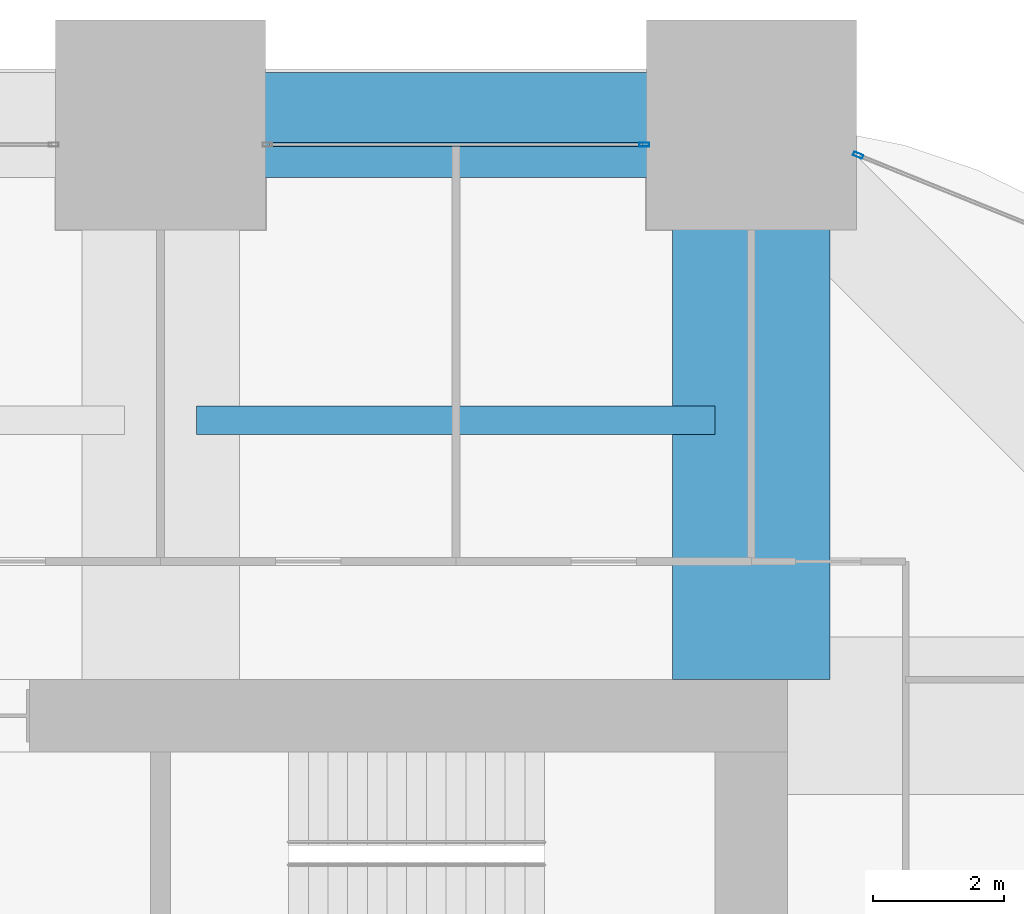
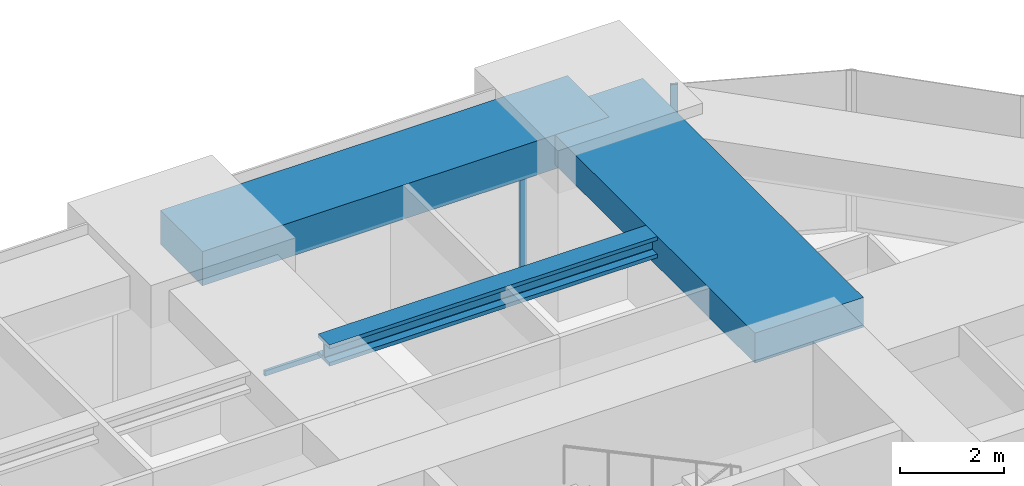
# One storey, part 27 of 36: 3 beams, 3 members, 2 elements without a shape of their own.
"""IFC4 building model written with IfcOpenShell, lengths in metres."""

from ifc_helpers import new_model, si_unit, direction, frame, origin, origin_2d, place, context, subcontext, project, spatial, rectangle, hollow_rectangle, i_section, extrude, material, material_profile, profile_set, type_object, element, aggregate, save


model = new_model("IFC4")

# Units and contexts
model_context = context("Model", 3, precision=1e-05, world=origin(), true_north=direction((0.0, 1.0)))
body_context = subcontext(model_context, "Body", "Model", "MODEL_VIEW")
ifc_project = project(units=[si_unit("LENGTHUNIT", "METRE"), si_unit("AREAUNIT", "SQUARE_METRE"), si_unit("VOLUMEUNIT", "CUBIC_METRE"), si_unit("PLANEANGLEUNIT", "RADIAN"), si_unit("MASSUNIT", "GRAM", prefix="KILO")], contexts=[model_context])

# Site, building, storey
site_placement = place(None, origin())
site = spatial("IfcSite", under=ifc_project, at=site_placement, CompositionType="ELEMENT")
building_placement = place(site_placement, origin())
building = spatial("IfcBuilding", under=site, at=building_placement, Name="Zorevar Civic Tower", CompositionType="ELEMENT")
storey_placement = place(building_placement, frame((0.0, 0.0, 166.199951171875)))
storey = spatial("IfcBuildingStorey", under=building, at=storey_placement, Name="L40", CompositionType="ELEMENT", Elevation=166.199951171875)

# Beam
ifc_material_1 = material(Name="Concrete C50/60", Category="concrete")
ifc_material_profile_1 = material_profile(ifc_material_1, rectangle(XDim=2.39990234375, YDim=0.699951171875, at=origin_2d()), Name="RC 2400x700")
ifc_profile_set_1 = profile_set([ifc_material_profile_1], Name="Concrete C50/60")
beam_type_1 = type_object("IfcBeamType", Name="Beam RC 2400x700", PredefinedType="BEAM", material=ifc_profile_set_1)
beam_1_placement = place(storey_placement, frame((45.0, 36.550048828125, 3.400146484375), z_axis=(0.0, 1.0, 0.0), x_axis=(-1.0, 0.0, 0.0)))
element("IfcBeam", 1, at=beam_1_placement, inside=storey, type_object=beam_type_1, Name="Girder L41", PredefinedType="BEAM", context=body_context, shape_type="SweptSolid", body=[
    extrude(rectangle(XDim=2.39990234375, YDim=0.699951171875, at=origin_2d()), origin(), (0.0, 0.0, 1.0), 8.449951171875),
])

# Curtain wall, member
ifc_material_2 = material(Name="Dark grey solar-control glass in black aluminium frame", Category="aluminium")
curtain_wall_type = type_object("IfcCurtainWallType", Name="Curtain wall CW4 high zone", PredefinedType="NOTDEFINED", material=ifc_material_2)
curtain_wall_1_placement = place(storey_placement, origin())
curtain_wall_1 = element("IfcCurtainWall", 2, at=curtain_wall_1_placement, inside=storey, type_object=curtain_wall_type, Name="CW4 L40", PredefinedType="NOTDEFINED")
ifc_material_3 = material(Name="Aluminium, black anodised", Category="aluminium")
ifc_material_profile_2 = material_profile(ifc_material_3, hollow_rectangle(XDim=0.06005859375, YDim=0.14990234375, WallThickness=0.00390625, at=origin_2d()), Name="AL 150x60x4")
ifc_profile_set_2 = profile_set([ifc_material_profile_2], Name="Aluminium, black anodised")
member_type_1 = type_object("IfcMemberType", Name="CW4 mullion AL 150x60x4", PredefinedType="MULLION", material=ifc_profile_set_2)
member_1_placement = place(storey_placement, frame((43.3701171875, 44.699951171875, 0.0), z_axis=(0.0, 0.0, 1.0), x_axis=(0.0, 1.0, 0.0)))
member_1 = element("IfcMember", 3, at=member_1_placement, type_object=member_type_1, Name="CW4 mullion 2", PredefinedType="MULLION", context=body_context, shape_type="SweptSolid", body=[
    extrude(hollow_rectangle(XDim=0.06005859375, YDim=0.14990234375, WallThickness=0.00390625, at=origin_2d()), origin(), (0.0, 0.0, 1.0), 2.949951171875),
])

curtain_wall_2_placement = place(storey_placement, origin())
curtain_wall_2 = element("IfcCurtainWall", 4, at=curtain_wall_2_placement, inside=storey, type_object=curtain_wall_type, Name="CW4 L40", PredefinedType="NOTDEFINED")
member_2_placement = place(storey_placement, frame((46.627685546875, 44.540283203125, 0.0), z_axis=(0.0, 0.0, 1.0), x_axis=(-0.375650166453, -0.926761540227, 0.0)))
member_2 = element("IfcMember", 5, at=member_2_placement, type_object=member_type_1, Name="CW4 mullion 2", PredefinedType="MULLION", context=body_context, shape_type="SweptSolid", body=[
    extrude(hollow_rectangle(XDim=0.06005859375, YDim=0.14990234375, WallThickness=0.00390625, at=origin_2d()), origin(), (0.0, 0.0, 1.0), 3.75),
])
aggregate(curtain_wall_2, [member_2])

# Member
ifc_material_4 = material(Name="Aluminium, black anodised", Category="aluminium")
ifc_material_profile_3 = material_profile(ifc_material_4, hollow_rectangle(XDim=0.06005859375, YDim=0.1201171875, WallThickness=0.0029296875, at=origin_2d()), Name="AL 120x60x3")
ifc_profile_set_3 = profile_set([ifc_material_profile_3], Name="Aluminium, black anodised")
member_type_2 = type_object("IfcMemberType", Name="CW4 transom AL 120x60x3", PredefinedType="USERDEFINED", material=ifc_profile_set_3)
member_3_placement = place(storey_placement, frame((37.659912109375, 44.699951171875, 0.030029296875), z_axis=(1.0, 0.0, 0.0), x_axis=(0.0, 1.0, 0.0)))
member_3 = element("IfcMember", 6, at=member_3_placement, type_object=member_type_2, Name="CW4 sill transom", ObjectType="TRANSOM", PredefinedType="USERDEFINED", context=body_context, shape_type="SweptSolid", body=[
    extrude(hollow_rectangle(XDim=0.06005859375, YDim=0.1201171875, WallThickness=0.0029296875, at=origin_2d()), origin(), (0.0, 0.0, 1.0), 5.68017578125),
])

aggregate(curtain_wall_1, [member_1, member_3])

# Beams
ifc_material_5 = material(Name="Steel S460M (HISTAR 460)", Category="steel")
ifc_material_profile_4 = material_profile(ifc_material_5, i_section(OverallWidth=0.431884765625, OverallDepth=0.498046875, WebThickness=0.0556640625, FlangeThickness=0.0888671875, FilletRadius=0.014892578125, at=origin_2d()), Name="HD 400x744")
ifc_profile_set_4 = profile_set([ifc_material_profile_4], Name="Steel S460M (HISTAR 460)")
beam_type_2 = type_object("IfcBeamType", Name="Core bay beam HD 400x744", PredefinedType="BEAM", material=ifc_profile_set_4)
beam_2_placement = place(storey_placement, frame((36.550048828125, 40.5, 3.5009765625), z_axis=(1.0, 0.0, 0.0), x_axis=(0.0, 1.0, 0.0)))
element("IfcBeam", 7, at=beam_2_placement, inside=storey, type_object=beam_type_2, Name="Secondary beam L41", PredefinedType="BEAM", context=body_context, shape_type="SweptSolid", body=[
    extrude(i_section(OverallWidth=0.431884765625, OverallDepth=0.498046875, WebThickness=0.0556640625, FlangeThickness=0.0888671875, FilletRadius=0.014892578125, at=origin_2d()), origin(), (0.0, 0.0, 1.0), 7.89990234375),
])
ifc_material_6 = material(Name="Concrete C50/60", Category="concrete")
ifc_material_profile_5 = material_profile(ifc_material_6, rectangle(XDim=1.60009765625, YDim=0.800048828125, at=origin_2d()), Name="RC 1600x800")
ifc_profile_set_5 = profile_set([ifc_material_profile_5], Name="Concrete C50/60")
beam_type_3 = type_object("IfcBeamType", Name="Edge beam RC 1600x800", PredefinedType="SPANDREL", material=ifc_profile_set_5)
beam_3_placement = place(storey_placement, frame((36.0, 45.0, 3.35009765625), z_axis=(1.0, 0.0, 0.0), x_axis=(0.0, 1.0, 0.0)))
element("IfcBeam", 8, at=beam_3_placement, inside=storey, type_object=beam_type_3, Name="Edge beam L41", PredefinedType="SPANDREL", context=body_context, shape_type="SweptSolid", body=[
    extrude(rectangle(XDim=1.60009765625, YDim=0.800048828125, at=origin_2d()), origin(), (0.0, 0.0, 1.0), 9.0),
])

save(model, "model.ifc")
